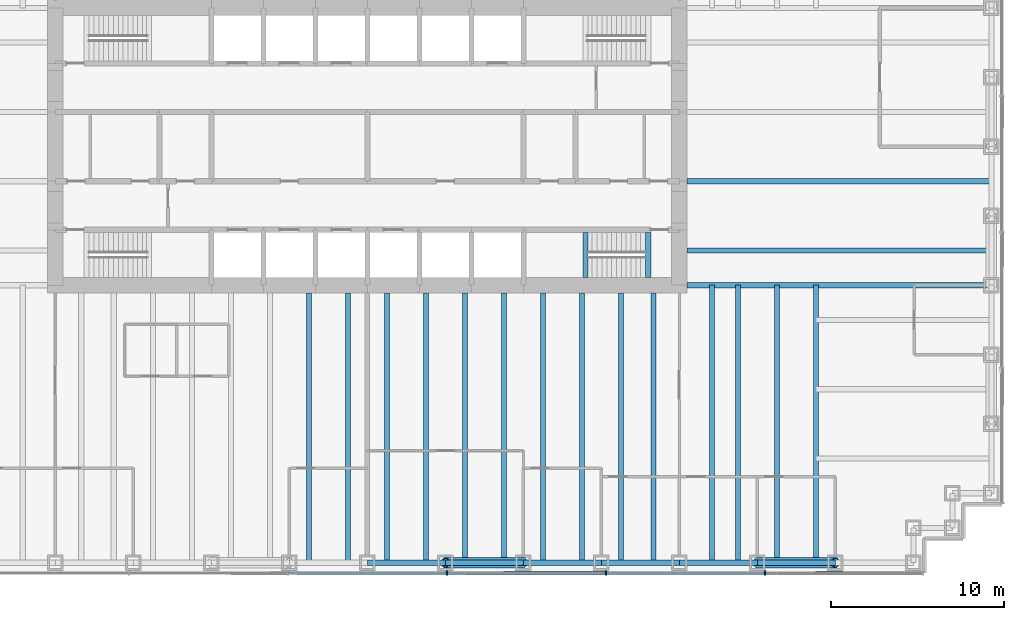
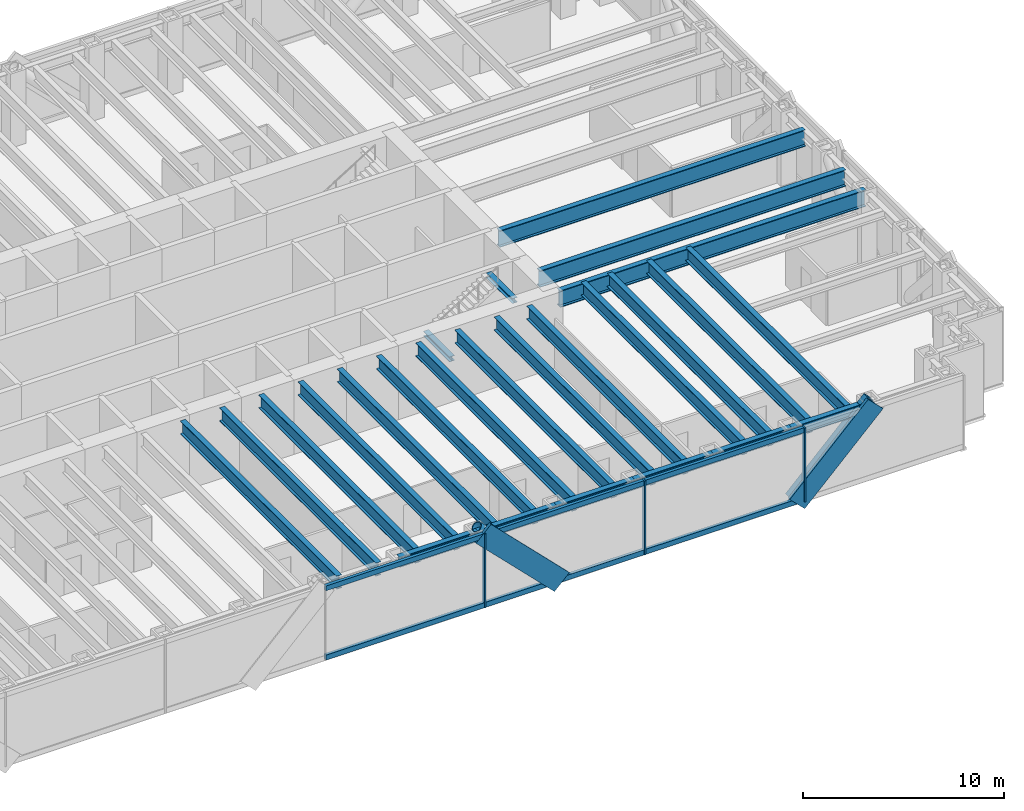
# One storey, part 3 of 13: 25 beams, 13 members, 1 element without a shape of its own.
"""IFC4 building model written with IfcOpenShell, lengths in metres."""

from ifc_helpers import new_model, si_unit, direction, frame, origin, origin_2d, place, context, subcontext, project, spatial, rectangle, hollow_circle, i_section, extrude, material, material_profile, profile_set, type_object, element, aggregate, save


model = new_model("IFC4")

# Units and contexts
model_context = context("Model", 3, precision=1e-05, world=origin(), true_north=direction((0.0, 1.0)))
body_context = subcontext(model_context, "Body", "Model", "MODEL_VIEW")
ifc_project = project(units=[si_unit("LENGTHUNIT", "METRE"), si_unit("AREAUNIT", "SQUARE_METRE"), si_unit("VOLUMEUNIT", "CUBIC_METRE"), si_unit("PLANEANGLEUNIT", "RADIAN"), si_unit("MASSUNIT", "GRAM", prefix="KILO")], contexts=[model_context])

# Site, building, storey
site_placement = place(None, origin())
site = spatial("IfcSite", under=ifc_project, at=site_placement, CompositionType="ELEMENT")
building_placement = place(site_placement, origin())
building = spatial("IfcBuilding", under=site, at=building_placement, Name="Rheinbord Bourse Tower", CompositionType="ELEMENT")
storey_placement = place(building_placement, frame((0.0, 0.0, 54.5)))
storey = spatial("IfcBuildingStorey", under=building, at=storey_placement, Name="L11", CompositionType="ELEMENT", Elevation=54.5)

# Curtain wall, members
ifc_material_1 = material(Name="Dark glass and black aluminium", Category="aluminium")
curtain_wall_type = type_object("IfcCurtainWallType", Name="CW1 DARK GLASS CURTAIN WALL", PredefinedType="USERDEFINED", material=ifc_material_1)
curtain_wall_placement = place(storey_placement, origin())
curtain_wall = element("IfcCurtainWall", 1, at=curtain_wall_placement, inside=storey, type_object=curtain_wall_type, Name="Curtain wall CW1 S L11", ObjectType="UNITISED CURTAIN WALL", PredefinedType="USERDEFINED")
ifc_material_2 = material(Name="Black anodised aluminium", Category="aluminium")
ifc_material_profile_1 = material_profile(ifc_material_2, rectangle(XDim=0.179931640625, YDim=1.2099609375, at=origin_2d()), Name="CW1 DIAGONAL MULLION 1210x180")
ifc_profile_set_1 = profile_set([ifc_material_profile_1], Name="Black anodised aluminium")
member_type_1 = type_object("IfcMemberType", Name="CW1 BLACK DIAGONAL MULLION", PredefinedType="USERDEFINED", material=ifc_profile_set_1)
member_1_placement = place(storey_placement, frame((58.5, -0.60009765625, 0.0), z_axis=(0.707106781187, 0.0, 0.707106781187), x_axis=(0.0, 1.0, 0.0)))
member_1 = element("IfcMember", 2, at=member_1_placement, type_object=member_type_1, Name="CW1 diagonal mullion a", ObjectType="DIAGONAL MULLION", PredefinedType="USERDEFINED", context=body_context, shape_type="SweptSolid", body=[
    extrude(rectangle(XDim=0.179931640625, YDim=1.2099609375, at=origin_2d()), origin(), (0.0, 0.0, 1.0), 6.364013671875),
])
member_2_placement = place(storey_placement, frame((45.0, -0.60009765625, 0.0), z_axis=(-0.707106781187, 0.0, 0.707106781187), x_axis=(0.0, -1.0, 0.0)))
member_2 = element("IfcMember", 3, at=member_2_placement, type_object=member_type_1, Name="CW1 diagonal mullion c", ObjectType="DIAGONAL MULLION", PredefinedType="USERDEFINED", context=body_context, shape_type="SweptSolid", body=[
    extrude(rectangle(XDim=0.179931640625, YDim=1.2099609375, at=origin_2d()), origin(), (0.0, 0.0, 1.0), 6.364013671875),
])
ifc_material_3 = material(Name="Black anodised aluminium", Category="aluminium")
ifc_material_profile_2 = material_profile(ifc_material_3, rectangle(XDim=0.25, YDim=0.080078125, at=origin_2d()), Name="CW1 MULLION 80x250")
ifc_profile_set_2 = profile_set([ifc_material_profile_2], Name="Black anodised aluminium")
member_type_2 = type_object("IfcMemberType", Name="CW1 BLACK MULLION", PredefinedType="MULLION", material=ifc_profile_set_2)
member_3_placement = place(storey_placement, frame((40.585693359375, -0.60009765625, 0.0), z_axis=(0.0, 0.0, 1.0), x_axis=(0.0, 1.0, 0.0)))
member_3 = element("IfcMember", 4, at=member_3_placement, type_object=member_type_2, Name="CW1 mullion 5", PredefinedType="MULLION", context=body_context, shape_type="SweptSolid", body=[
    extrude(rectangle(XDim=0.25, YDim=0.080078125, at=origin_2d()), origin(), (0.0, 0.0, 1.0), 4.5),
])
member_4_placement = place(storey_placement, frame((49.757080078125, -0.60009765625, 0.0), z_axis=(0.0, 0.0, 1.0), x_axis=(0.0, 1.0, 0.0)))
member_4 = element("IfcMember", 5, at=member_4_placement, type_object=member_type_2, Name="CW1 mullion 6", PredefinedType="MULLION", context=body_context, shape_type="SweptSolid", body=[
    extrude(rectangle(XDim=0.25, YDim=0.080078125, at=origin_2d()), origin(), (0.0, 0.0, 1.0), 4.5),
])
member_5_placement = place(storey_placement, frame((58.928466796875, -0.60009765625, 0.0), z_axis=(0.0, 0.0, 1.0), x_axis=(0.0, 1.0, 0.0)))
member_5 = element("IfcMember", 6, at=member_5_placement, type_object=member_type_2, Name="CW1 mullion 7", PredefinedType="MULLION", context=body_context, shape_type="SweptSolid", body=[
    extrude(rectangle(XDim=0.25, YDim=0.080078125, at=origin_2d()), origin(), (0.0, 0.0, 1.0), 4.5),
])
ifc_material_4 = material(Name="Black anodised aluminium", Category="aluminium")
ifc_material_profile_3 = material_profile(ifc_material_4, rectangle(XDim=0.179931640625, YDim=0.300048828125, at=origin_2d()), Name="CW1 TRANSOM 300x180")
ifc_profile_set_3 = profile_set([ifc_material_profile_3], Name="Black anodised aluminium")
member_type_3 = type_object("IfcMemberType", Name="CW1 BLACK TRANSOM", PredefinedType="USERDEFINED", material=ifc_profile_set_3)
member_6_placement = place(storey_placement, frame((31.454345703125, -0.60009765625, 0.14990234375), z_axis=(1.0, 0.0, 0.0), x_axis=(0.0, 1.0, 0.0)))
member_6 = element("IfcMember", 7, at=member_6_placement, type_object=member_type_3, Name="CW1 transom 4.1", ObjectType="TRANSOM", PredefinedType="USERDEFINED", context=body_context, shape_type="SweptSolid", body=[
    extrude(rectangle(XDim=0.179931640625, YDim=0.300048828125, at=origin_2d()), origin(), (0.0, 0.0, 1.0), 9.09130859375),
])
member_7_placement = place(storey_placement, frame((31.454345703125, -0.60009765625, 4.35009765625), z_axis=(1.0, 0.0, 0.0), x_axis=(0.0, 1.0, 0.0)))
member_7 = element("IfcMember", 8, at=member_7_placement, type_object=member_type_3, Name="CW1 transom 4.2", ObjectType="TRANSOM", PredefinedType="USERDEFINED", context=body_context, shape_type="SweptSolid", body=[
    extrude(rectangle(XDim=0.179931640625, YDim=0.300048828125, at=origin_2d()), origin(), (0.0, 0.0, 1.0), 9.09130859375),
])
member_8_placement = place(storey_placement, frame((40.625732421875, -0.60009765625, 0.14990234375), z_axis=(1.0, 0.0, 0.0), x_axis=(0.0, 1.0, 0.0)))
member_8 = element("IfcMember", 9, at=member_8_placement, type_object=member_type_3, Name="CW1 transom 5.1", ObjectType="TRANSOM", PredefinedType="USERDEFINED", context=body_context, shape_type="SweptSolid", body=[
    extrude(rectangle(XDim=0.179931640625, YDim=0.300048828125, at=origin_2d()), origin(), (0.0, 0.0, 1.0), 9.09130859375),
])
member_9_placement = place(storey_placement, frame((40.625732421875, -0.60009765625, 4.35009765625), z_axis=(1.0, 0.0, 0.0), x_axis=(0.0, 1.0, 0.0)))
member_9 = element("IfcMember", 10, at=member_9_placement, type_object=member_type_3, Name="CW1 transom 5.2", ObjectType="TRANSOM", PredefinedType="USERDEFINED", context=body_context, shape_type="SweptSolid", body=[
    extrude(rectangle(XDim=0.179931640625, YDim=0.300048828125, at=origin_2d()), origin(), (0.0, 0.0, 1.0), 9.09130859375),
])
member_10_placement = place(storey_placement, frame((49.797119140625, -0.60009765625, 0.14990234375), z_axis=(1.0, 0.0, 0.0), x_axis=(0.0, 1.0, 0.0)))
member_10 = element("IfcMember", 11, at=member_10_placement, type_object=member_type_3, Name="CW1 transom 6.1", ObjectType="TRANSOM", PredefinedType="USERDEFINED", context=body_context, shape_type="SweptSolid", body=[
    extrude(rectangle(XDim=0.179931640625, YDim=0.300048828125, at=origin_2d()), origin(), (0.0, 0.0, 1.0), 9.091552734375),
])
member_11_placement = place(storey_placement, frame((49.797119140625, -0.60009765625, 4.35009765625), z_axis=(1.0, 0.0, 0.0), x_axis=(0.0, 1.0, 0.0)))
member_11 = element("IfcMember", 12, at=member_11_placement, type_object=member_type_3, Name="CW1 transom 6.2", ObjectType="TRANSOM", PredefinedType="USERDEFINED", context=body_context, shape_type="SweptSolid", body=[
    extrude(rectangle(XDim=0.179931640625, YDim=0.300048828125, at=origin_2d()), origin(), (0.0, 0.0, 1.0), 9.091552734375),
])
aggregate(curtain_wall, [member_3, member_4, member_5, member_6, member_7, member_8, member_9, member_10, member_11, member_1, member_2])

# Beams
ifc_material_5 = material(Name="Steel S460", Category="steel")
ifc_material_profile_4 = material_profile(ifc_material_5, i_section(OverallWidth=0.302001953125, OverallDepth=1.008056640625, WebThickness=0.02099609375, FlangeThickness=0.0400390625, at=origin_2d()), Name="HEM 1000")
ifc_profile_set_4 = profile_set([ifc_material_profile_4], Name="Steel S460")
beam_type_1 = type_object("IfcBeamType", Name="END BEAM HEM 1000", PredefinedType="BEAM", material=ifc_profile_set_4)
for number, where, z_axis, x_axis, name in (
    (13, (54.449951171875, 18.0, 3.81591796875), (1.0, 0.0, 0.0), (0.0, 1.0, 0.0), "End beam east 18 L12"),
    (14, (54.449951171875, 22.0, 3.81591796875), (1.0, 0.0, 0.0), (0.0, 1.0, 0.0), "End beam east 22 L12"),
):
    element("IfcBeam", number, at=place(storey_placement, frame(where, z_axis=z_axis, x_axis=x_axis)), inside=storey, type_object=beam_type_1, Name=name, PredefinedType="BEAM", context=body_context, shape_type="SweptSolid", body=[
        extrude(i_section(OverallWidth=0.302001953125, OverallDepth=1.008056640625, WebThickness=0.02099609375, FlangeThickness=0.0400390625, at=origin_2d()), origin(), (0.0, 0.0, 1.0), 17.550048828125),
    ])
ifc_material_6 = material(Name="Steel S460", Category="steel")
ifc_material_profile_5 = material_profile(ifc_material_6, i_section(OverallWidth=0.300048828125, OverallDepth=0.800048828125, WebThickness=0.017578125, FlangeThickness=0.032958984375, at=origin_2d()), Name="HEB 800")
ifc_profile_set_5 = profile_set([ifc_material_profile_5], Name="Steel S460")
beam_type_2 = type_object("IfcBeamType", Name="FLOOR BEAM HEB 800", PredefinedType="BEAM", material=ifc_profile_set_5)
for number, where, z_axis, x_axis, name in (
    (15, (32.625, 0.0, 3.919921875), (0.0, 1.0, 0.0), (-1.0, 0.0, 0.0), "Floor beam S-31.5a L12"),
    (16, (34.875, 0.0, 3.919921875), (0.0, 1.0, 0.0), (-1.0, 0.0, 0.0), "Floor beam S-31.5b L12"),
    (17, (37.125, 0.0, 3.919921875), (0.0, 1.0, 0.0), (-1.0, 0.0, 0.0), "Floor beam S-36a L12"),
    (18, (39.375, 0.0, 3.919921875), (0.0, 1.0, 0.0), (-1.0, 0.0, 0.0), "Floor beam S-36b L12"),
    (19, (41.625, 0.0, 3.919921875), (0.0, 1.0, 0.0), (-1.0, 0.0, 0.0), "Floor beam S-40.5a L12"),
    (20, (43.875, 0.0, 3.919921875), (0.0, 1.0, 0.0), (-1.0, 0.0, 0.0), "Floor beam S-40.5b L12"),
    (21, (46.125, 0.0, 3.919921875), (0.0, 1.0, 0.0), (-1.0, 0.0, 0.0), "Floor beam S-45a L12"),
    (22, (48.375, 0.0, 3.919921875), (0.0, 1.0, 0.0), (-1.0, 0.0, 0.0), "Floor beam S-45b L12"),
    (23, (50.625, 0.0, 3.919921875), (0.0, 1.0, 0.0), (-1.0, 0.0, 0.0), "Floor beam S-49.5a L12"),
    (24, (52.5, 0.0, 3.919921875), (0.0, 1.0, 0.0), (-1.0, 0.0, 0.0), "Floor beam S-49.5b L12"),
):
    element("IfcBeam", number, at=place(storey_placement, frame(where, z_axis=z_axis, x_axis=x_axis)), inside=storey, type_object=beam_type_2, Name=name, PredefinedType="BEAM", context=body_context, shape_type="SweptSolid", body=[
        extrude(i_section(OverallWidth=0.300048828125, OverallDepth=0.800048828125, WebThickness=0.017578125, FlangeThickness=0.032958984375, at=origin_2d()), origin(), (0.0, 0.0, 1.0), 15.550048828125),
    ])
for number, where, z_axis, x_axis, name in (
    (25, (55.875, 0.0, 3.919921875), (0.0, 1.0, 0.0), (-1.0, 0.0, 0.0), "Floor beam S-54a L12"),
    (26, (57.375, 0.0, 3.919921875), (0.0, 1.0, 0.0), (-1.0, 0.0, 0.0), "Floor beam S-54b L12"),
    (27, (59.625, 0.0, 3.919921875), (0.0, 1.0, 0.0), (-1.0, 0.0, 0.0), "Floor beam S-58.5a L12"),
    (28, (61.875, 0.0, 3.919921875), (0.0, 1.0, 0.0), (-1.0, 0.0, 0.0), "Floor beam S-58.5b L12"),
):
    element("IfcBeam", number, at=place(storey_placement, frame(where, z_axis=z_axis, x_axis=x_axis)), inside=storey, type_object=beam_type_2, Name=name, PredefinedType="BEAM", context=body_context, shape_type="SweptSolid", body=[
        extrude(i_section(OverallWidth=0.300048828125, OverallDepth=0.800048828125, WebThickness=0.017578125, FlangeThickness=0.032958984375, at=origin_2d()), origin(), (0.0, 0.0, 1.0), 16.0),
    ])
ifc_material_7 = material(Name="Steel S460", Category="steel")
ifc_material_profile_6 = material_profile(ifc_material_7, i_section(OverallWidth=0.302001953125, OverallDepth=1.008056640625, WebThickness=0.02099609375, FlangeThickness=0.0400390625, at=origin_2d()), Name="HEM 1000")
ifc_profile_set_6 = profile_set([ifc_material_profile_6], Name="Steel S460")
beam_type_3 = type_object("IfcBeamType", Name="GIRDER HEM 1000", PredefinedType="BEAM", material=ifc_profile_set_6)
beam_placement = place(storey_placement, frame((54.449951171875, 16.0, 3.81591796875), z_axis=(1.0, 0.0, 0.0), x_axis=(0.0, 1.0, 0.0)))
element("IfcBeam", 29, at=beam_placement, inside=storey, type_object=beam_type_3, Name="Girder east 16 L12", PredefinedType="BEAM", context=body_context, shape_type="SweptSolid", body=[
    extrude(i_section(OverallWidth=0.302001953125, OverallDepth=1.008056640625, WebThickness=0.02099609375, FlangeThickness=0.0400390625, at=origin_2d()), origin(), (0.0, 0.0, 1.0), 17.550048828125),
])
ifc_material_8 = material(Name="Steel S460", Category="steel")
ifc_material_profile_7 = material_profile(ifc_material_8, i_section(OverallWidth=0.300048828125, OverallDepth=0.300048828125, WebThickness=0.010986328125, FlangeThickness=0.01904296875, at=origin_2d()), Name="HEB 300")
ifc_profile_set_7 = profile_set([ifc_material_profile_7], Name="Steel S460")
beam_type_4 = type_object("IfcBeamType", Name="LANDING TRIMMER HEB 300", PredefinedType="BEAM", material=ifc_profile_set_7)
for number, where, z_axis, x_axis, name in (
    (30, (48.590087890625, 16.449951171875, 1.89990234375), (0.0, 1.0, 0.0), (-1.0, 0.0, 0.0), "Landing trimmer ST3 L11"),
    (31, (52.199951171875, 16.449951171875, 4.169921875), (0.0, 1.0, 0.0), (-1.0, 0.0, 0.0), "Well trimmer ST3 under L12"),
):
    element("IfcBeam", number, at=place(storey_placement, frame(where, z_axis=z_axis, x_axis=x_axis)), inside=storey, type_object=beam_type_4, Name=name, PredefinedType="BEAM", context=body_context, shape_type="SweptSolid", body=[
        extrude(i_section(OverallWidth=0.300048828125, OverallDepth=0.300048828125, WebThickness=0.010986328125, FlangeThickness=0.01904296875, at=origin_2d()), origin(), (0.0, 0.0, 1.0), 2.60009765625),
    ])

# Members
ifc_material_9 = material(Name="Steel S460", Category="steel")
ifc_material_profile_8 = material_profile(ifc_material_9, hollow_circle(Radius=0.304931640625, WallThickness=0.050048828125, at=origin_2d()), Name="CHS 610x50")
ifc_profile_set_8 = profile_set([ifc_material_profile_8], Name="Steel S460")
member_type_4 = type_object("IfcMemberType", Name="MEGABRACE CHS 610x50", PredefinedType="BRACE", material=ifc_profile_set_8)
for number, where, z_axis, x_axis, name in (
    (32, (58.5, 0.0, 0.0), (0.707106781187, 0.0, 0.707106781187), (0.0, 1.0, 0.0), "Megabrace S face line a L11"),
    (33, (45.0, 0.0, 0.0), (-0.707106781187, 0.0, 0.707106781187), (0.0, -1.0, 0.0), "Megabrace S face line c L11"),
):
    element("IfcMember", number, at=place(storey_placement, frame(where, z_axis=z_axis, x_axis=x_axis)), inside=storey, type_object=member_type_4, Name=name, PredefinedType="BRACE", context=body_context, shape_type="SweptSolid", body=[
        extrude(hollow_circle(Radius=0.304931640625, WallThickness=0.050048828125, at=origin_2d()), origin(), (0.0, 0.0, 1.0), 6.364013671875),
    ])

# Beams
ifc_material_10 = material(Name="Steel S460", Category="steel")
ifc_material_profile_9 = material_profile(ifc_material_10, i_section(OverallWidth=0.304931640625, OverallDepth=0.6201171875, WebThickness=0.02099609375, FlangeThickness=0.0400390625, at=origin_2d()), Name="HEM 600")
ifc_profile_set_9 = profile_set([ifc_material_profile_9], Name="Steel S460")
beam_type_5 = type_object("IfcBeamType", Name="SPANDREL HEM 600", PredefinedType="SPANDREL", material=ifc_profile_set_9)
for number, where, z_axis, x_axis, name in (
    (34, (36.0, 0.0, 4.010009765625), (1.0, 0.0, 0.0), (0.0, 1.0, 0.0), "Spandrel S-36-S-40.5 under L12"),
    (35, (40.5, 0.0, 4.010009765625), (1.0, 0.0, 0.0), (0.0, 1.0, 0.0), "Spandrel S-40.5-S-45 under L12"),
    (36, (45.0, 0.0, 4.010009765625), (1.0, 0.0, 0.0), (0.0, 1.0, 0.0), "Spandrel S-45-S-49.5 under L12"),
    (37, (49.5, 0.0, 4.010009765625), (1.0, 0.0, 0.0), (0.0, 1.0, 0.0), "Spandrel S-49.5-S-54 under L12"),
    (38, (54.0, 0.0, 4.010009765625), (1.0, 0.0, 0.0), (0.0, 1.0, 0.0), "Spandrel S-54-S-58.5 under L12"),
    (39, (58.5, 0.0, 4.010009765625), (1.0, 0.0, 0.0), (0.0, 1.0, 0.0), "Spandrel S-58.5-S-63 under L12"),
):
    element("IfcBeam", number, at=place(storey_placement, frame(where, z_axis=z_axis, x_axis=x_axis)), inside=storey, type_object=beam_type_5, Name=name, PredefinedType="SPANDREL", context=body_context, shape_type="SweptSolid", body=[
        extrude(i_section(OverallWidth=0.304931640625, OverallDepth=0.6201171875, WebThickness=0.02099609375, FlangeThickness=0.0400390625, at=origin_2d()), origin(), (0.0, 0.0, 1.0), 4.5),
    ])

save(model, "model.ifc")
